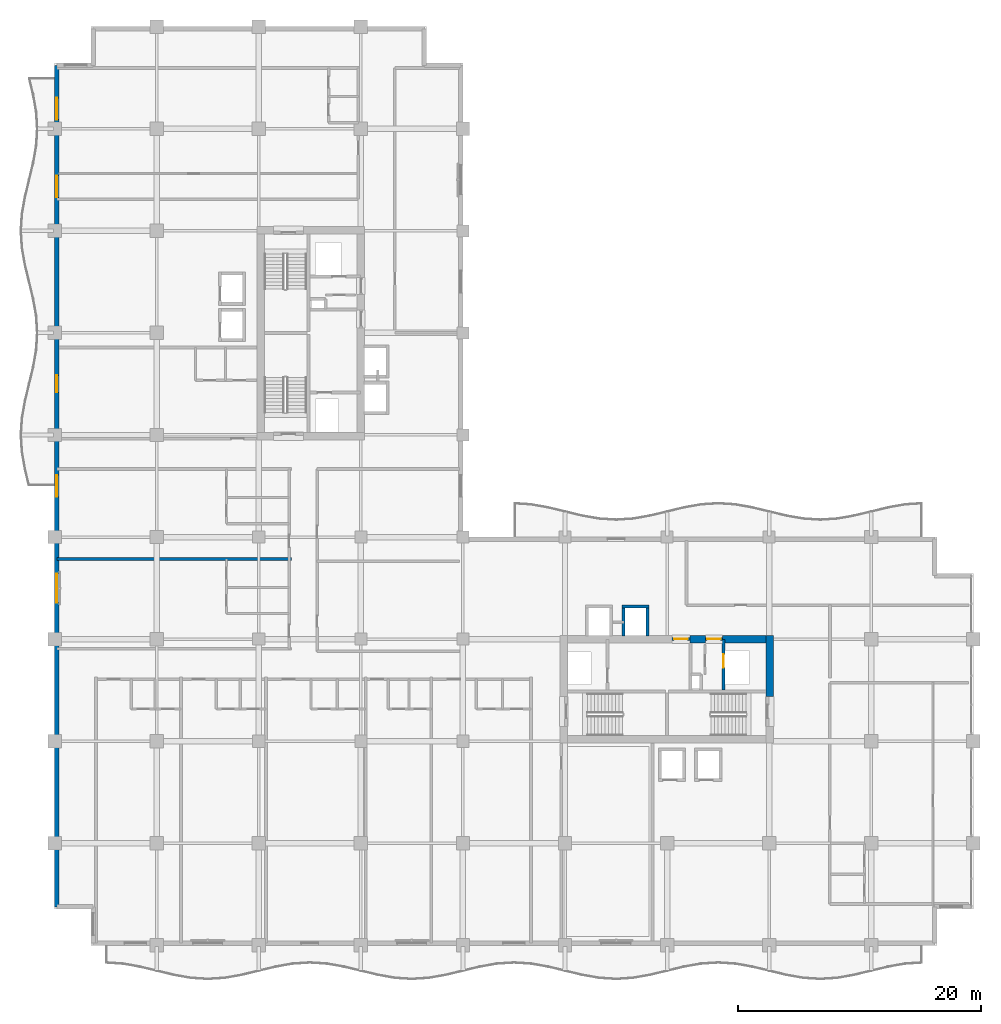
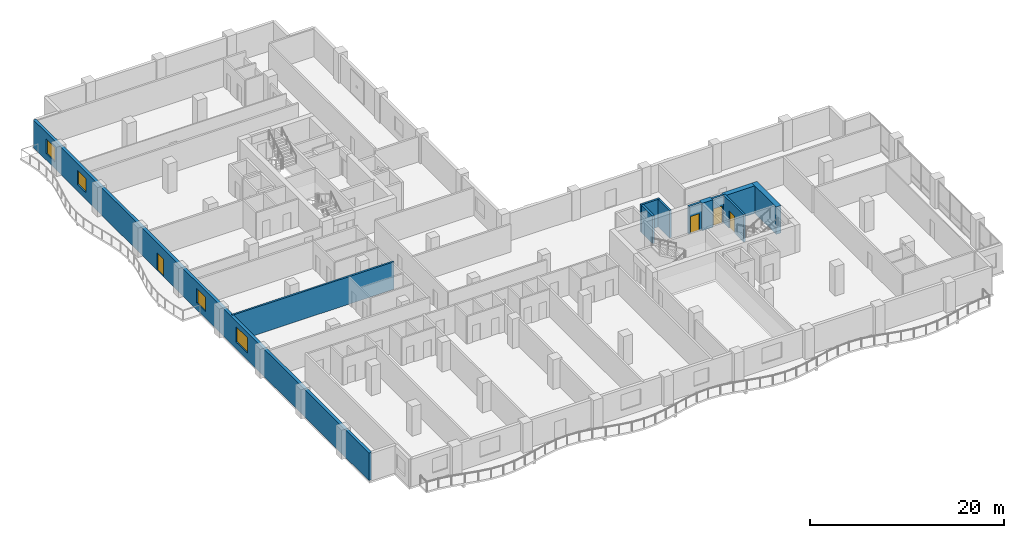
# One storey, part 11 of 21: 11 walls, 4 doors, 4 windows, 8 openings.
"""IFC4 building model written with IfcOpenShell, lengths in metres."""

from ifc_helpers import new_model, si_unit, direction, frame, frame_2d, origin, place, context, subcontext, project, spatial, rectangle, extrude, material, layer, layer_set, type_object, element, fill, save


model = new_model("IFC4")

# Units and contexts
model_context = context("Model", 3, precision=1e-05, world=origin(), true_north=direction((0.0, 1.0)))
body_context = subcontext(model_context, "Body", "Model", "MODEL_VIEW")
ifc_project = project(units=[si_unit("LENGTHUNIT", "METRE"), si_unit("AREAUNIT", "SQUARE_METRE"), si_unit("VOLUMEUNIT", "CUBIC_METRE"), si_unit("PLANEANGLEUNIT", "RADIAN"), si_unit("MASSUNIT", "GRAM", prefix="KILO")], contexts=[model_context])

# Site, building, storey
site_placement = place(None, origin())
site = spatial("IfcSite", under=ifc_project, at=site_placement, CompositionType="ELEMENT")
building_placement = place(site_placement, origin())
building = spatial("IfcBuilding", under=site, at=building_placement, Name="Koriwani Terraces Tower", CompositionType="ELEMENT")
storey_placement = place(building_placement, frame((0.0, 0.0, 197.60009765625)))
storey = spatial("IfcBuildingStorey", under=building, at=storey_placement, Name="L48", CompositionType="ELEMENT", Elevation=197.60009765625)

# Walls
ifc_material_1 = material(Name="Concrete C60/75", Category="concrete")
ifc_layer_1 = layer(ifc_material_1, 0.60009765625, Name="Concrete C60/75")
ifc_layer_set_1 = layer_set([ifc_layer_1], Name="Concrete C60/75")
wall_type_1 = type_object("IfcWallType", Name="WALL_CORE_RC_600", PredefinedType="SHEAR", material=ifc_layer_set_1)
wall_1_placement = place(storey_placement, frame((58.85009765625, 20.5, 0.0), z_axis=(0.0, 0.0, 1.0), x_axis=(0.0, 1.0, 0.0)))
element("IfcWall", 1, at=wall_1_placement, inside=storey, type_object=wall_type_1, Name="L48 East Split Core Shear Wall E2", PredefinedType="SHEAR", context=body_context, shape_type="SweptSolid", body=[
    extrude(rectangle(XDim=5.0, YDim=0.60009765625, at=frame_2d((2.5, 0.0))), origin(), (0.0, 0.0, 1.0), 3.469970703125),
])
wall_2_placement = place(storey_placement, frame((52.280029296875, 25.199951171875, 0.0), z_axis=(0.0, 0.0, 1.0), x_axis=(1.0, 0.0, 0.0)))
element("IfcWall", 2, at=wall_2_placement, inside=storey, type_object=wall_type_1, Name="L48 East Split Core Shear Wall N2", PredefinedType="SHEAR", context=body_context, shape_type="SweptSolid", body=[
    extrude(rectangle(XDim=1.27001953125, YDim=0.60009765625, at=frame_2d((0.635009765625, 0.0))), origin(), (0.0, 0.0, 1.0), 3.469970703125),
])
wall_3_placement = place(storey_placement, frame((54.949951171875, 25.199951171875, 0.0), z_axis=(0.0, 0.0, 1.0), x_axis=(1.0, 0.0, 0.0)))
element("IfcWall", 3, at=wall_3_placement, inside=storey, type_object=wall_type_1, Name="L48 East Split Core Shear Wall N3", PredefinedType="SHEAR", context=body_context, shape_type="SweptSolid", body=[
    extrude(rectangle(XDim=3.60009765625, YDim=0.60009765625, at=frame_2d((1.800048828125, 0.0))), origin(), (0.0, 0.0, 1.0), 3.469970703125),
])
ifc_material_2 = material(Name="Autoclaved Cellular Concrete Blockwork", Category="masonry")
ifc_layer_2 = layer(ifc_material_2, 0.219970703125, Name="Autoclaved Cellular Concrete Blockwork")
ifc_layer_set_2 = layer_set([ifc_layer_2], Name="Autoclaved Cellular Concrete Blockwork")
wall_type_2 = type_object("IfcWallType", Name="WALL_DEMISING_220", PredefinedType="PARTITIONING", material=ifc_layer_set_2)
wall_4_placement = place(storey_placement, frame((0.199951171875, 31.800048828125, 0.0), z_axis=(0.0, 0.0, 1.0), x_axis=(1.0, 0.0, 0.0)))
element("IfcWall", 4, at=wall_4_placement, inside=storey, type_object=wall_type_2, Name="L48 Interior Wall WRDEM-L48-NW-1", PredefinedType="PARTITIONING", context=body_context, shape_type="SweptSolid", body=[
    extrude(rectangle(XDim=19.280029296875, YDim=0.219970703125, at=frame_2d((9.64013671875, 0.0))), origin(), (0.0, 0.0, 1.0), 3.469970703125),
])

# Wall, openings, door, windows
ifc_material_3 = material(Name="Concrete C50/60", Category="concrete")
ifc_layer_3 = layer(ifc_material_3, 0.35009765625, Name="Concrete C50/60")
ifc_layer_set_3 = layer_set([ifc_layer_3], Name="Concrete C50/60")
wall_type_3 = type_object("IfcWallType", Name="WALL_EXT_BRUTALIST_350", PredefinedType="STANDARD", material=ifc_layer_set_3)
wall_5_placement = place(storey_placement, frame((0.175048828125, 3.175048828125, 0.0), z_axis=(0.0, 0.0, 1.0), x_axis=(0.0, 1.0, 0.0)))
wall_5 = element("IfcWall", 5, at=wall_5_placement, inside=storey, type_object=wall_type_3, Name="L48 Fair-Faced Brutalist Exterior Wall (W)", PredefinedType="STANDARD", context=body_context, shape_type="SweptSolid", body=[
    extrude(rectangle(XDim=69.25, YDim=0.35009765625, at=frame_2d((34.625, 0.0))), origin(), (0.0, 0.0, 1.0), 3.469970703125),
])
opening_1_placement = place(wall_5_placement, frame((42.324951171875, 0.0, 0.0)))
opening_1 = element("IfcOpeningElement", 6, at=opening_1_placement, cuts=wall_5, Name="Opening D-09", PredefinedType="OPENING", context=body_context, shape_type="SweptSolid", body=[
    extrude(rectangle(XDim=1.39990234375, YDim=2.199951171875, at=frame_2d((0.699951171875, 1.10009765625))), frame((0.0, 0.18505859375, 0.0), z_axis=(0.0, -1.0, 0.0), x_axis=(1.0, 0.0, 0.0)), (0.0, 0.0, 1.0), 0.3701171875),
])
opening_2_placement = place(wall_5_placement, frame((25.02490234375, 0.0, 0.85009765625)))
opening_2 = element("IfcOpeningElement", 7, at=opening_2_placement, cuts=wall_5, Name="Opening W-03", PredefinedType="OPENING", context=body_context, shape_type="SweptSolid", body=[
    extrude(rectangle(XDim=2.39990234375, YDim=1.949951171875, at=frame_2d((1.199951171875, 0.97509765625))), frame((0.0, 0.18505859375, 0.0), z_axis=(0.0, -1.0, 0.0), x_axis=(1.0, 0.0, 0.0)), (0.0, 0.0, 1.0), 0.3701171875),
])
opening_3_placement = place(wall_5_placement, frame((33.72509765625, 0.0, 0.85009765625)))
opening_3 = element("IfcOpeningElement", 8, at=opening_3_placement, cuts=wall_5, Name="Opening W-04", PredefinedType="OPENING", context=body_context, shape_type="SweptSolid", body=[
    extrude(rectangle(XDim=1.800048828125, YDim=1.800048828125, at=frame_2d((0.89990234375, 0.89990234375))), frame((0.0, 0.18505859375, 0.0), z_axis=(0.0, -1.0, 0.0), x_axis=(1.0, 0.0, 0.0)), (0.0, 0.0, 1.0), 0.3701171875),
])
opening_4_placement = place(wall_5_placement, frame((58.375, 0.0, 0.85009765625)))
opening_4 = element("IfcOpeningElement", 9, at=opening_4_placement, cuts=wall_5, Name="Opening W-04", PredefinedType="OPENING", context=body_context, shape_type="SweptSolid", body=[
    extrude(rectangle(XDim=1.800048828125, YDim=1.800048828125, at=frame_2d((0.89990234375, 0.89990234375))), frame((0.0, 0.18505859375, 0.0), z_axis=(0.0, -1.0, 0.0), x_axis=(1.0, 0.0, 0.0)), (0.0, 0.0, 1.0), 0.3701171875),
])
opening_5_placement = place(wall_5_placement, frame((64.77490234375, 0.0, 0.85009765625)))
opening_5 = element("IfcOpeningElement", 10, at=opening_5_placement, cuts=wall_5, Name="Opening W-04", PredefinedType="OPENING", context=body_context, shape_type="SweptSolid", body=[
    extrude(rectangle(XDim=1.800048828125, YDim=1.800048828125, at=frame_2d((0.89990234375, 0.89990234375))), frame((0.0, 0.18505859375, 0.0), z_axis=(0.0, -1.0, 0.0), x_axis=(1.0, 0.0, 0.0)), (0.0, 0.0, 1.0), 0.3701171875),
])
ifc_material_4 = material(Name="Anodised Bronze Aluminium", Category="aluminium")
door_type_1 = type_object("IfcDoorType", Name="DOOR_BALCONY_GLAZED_1400X2200", OperationType="NOTDEFINED", PredefinedType="DOOR", material=ifc_material_4)
door_1_placement = place(opening_1_placement, origin())
door_1 = element("IfcDoor", 11, at=door_1_placement, inside=storey, type_object=door_type_1, Name="L48 West Balcony Glazed Door", OperationType="SINGLE_SWING_LEFT", OverallHeight=2.199951171875, OverallWidth=1.39990234375, PredefinedType="DOOR", context=body_context, shape_type="SweptSolid", body=[
    extrude(rectangle(XDim=1.39990234375, YDim=2.199951171875, at=frame_2d((0.699951171875, 1.10009765625))), frame((0.0, 0.02490234375, 0.0), z_axis=(0.0, -1.0, 0.0), x_axis=(1.0, 0.0, 0.0)), (0.0, 0.0, 1.0), 0.050048828125),
])
fill(opening_1, door_1)
ifc_material_5 = material(Name="Tempered Laminated Low-E Glass", Category="glass")
window_type_1 = type_object("IfcWindowType", Name="WIN_RES_BED_1800X1800", PartitioningType="DOUBLE_PANEL_VERTICAL", PredefinedType="WINDOW", material=ifc_material_5)
window_1_placement = place(opening_3_placement, origin())
window_1 = element("IfcWindow", 12, at=window_1_placement, inside=storey, type_object=window_type_1, Name="L48 Exterior Window (W-12)", OverallHeight=1.800048828125, OverallWidth=1.800048828125, PartitioningType="SINGLE_PANEL", PredefinedType="WINDOW", context=body_context, shape_type="SweptSolid", body=[
    extrude(rectangle(XDim=1.800048828125, YDim=1.800048828125, at=frame_2d((0.89990234375, 0.89990234375))), frame((0.0, 0.030029296875, 0.0), z_axis=(0.0, -1.0, 0.0), x_axis=(1.0, 0.0, 0.0)), (0.0, 0.0, 1.0), 0.06005859375),
])
fill(opening_3, window_1)
window_2_placement = place(opening_4_placement, origin())
window_2 = element("IfcWindow", 13, at=window_2_placement, inside=storey, type_object=window_type_1, Name="L48 Exterior Window (W-R54)", OverallHeight=1.800048828125, OverallWidth=1.800048828125, PartitioningType="SINGLE_PANEL", PredefinedType="WINDOW", context=body_context, shape_type="SweptSolid", body=[
    extrude(rectangle(XDim=1.800048828125, YDim=1.800048828125, at=frame_2d((0.89990234375, 0.89990234375))), frame((0.0, 0.030029296875, 0.0), z_axis=(0.0, -1.0, 0.0), x_axis=(1.0, 0.0, 0.0)), (0.0, 0.0, 1.0), 0.06005859375),
])
fill(opening_4, window_2)
window_3_placement = place(opening_5_placement, origin())
window_3 = element("IfcWindow", 14, at=window_3_placement, inside=storey, type_object=window_type_1, Name="L48 Exterior Window (W-R55)", OverallHeight=1.800048828125, OverallWidth=1.800048828125, PartitioningType="SINGLE_PANEL", PredefinedType="WINDOW", context=body_context, shape_type="SweptSolid", body=[
    extrude(rectangle(XDim=1.800048828125, YDim=1.800048828125, at=frame_2d((0.89990234375, 0.89990234375))), frame((0.0, 0.030029296875, 0.0), z_axis=(0.0, -1.0, 0.0), x_axis=(1.0, 0.0, 0.0)), (0.0, 0.0, 1.0), 0.06005859375),
])
fill(opening_5, window_3)
window_type_2 = type_object("IfcWindowType", Name="WIN_RES_LIVING_2400X1950", PartitioningType="DOUBLE_PANEL_VERTICAL", PredefinedType="WINDOW", material=ifc_material_5)
window_4_placement = place(opening_2_placement, origin())
window_4 = element("IfcWindow", 15, at=window_4_placement, inside=storey, type_object=window_type_2, Name="L48 Exterior Window (W-9)", OverallHeight=1.949951171875, OverallWidth=2.39990234375, PartitioningType="SINGLE_PANEL", PredefinedType="WINDOW", context=body_context, shape_type="SweptSolid", body=[
    extrude(rectangle(XDim=2.39990234375, YDim=1.949951171875, at=frame_2d((1.199951171875, 0.97509765625))), frame((0.0, 0.030029296875, 0.0), z_axis=(0.0, -1.0, 0.0), x_axis=(1.0, 0.0, 0.0)), (0.0, 0.0, 1.0), 0.06005859375),
])
fill(opening_2, window_4)

# Wall, opening, door
ifc_material_6 = material(Name="Concrete C40/50", Category="concrete")
ifc_layer_4 = layer(ifc_material_6, 0.25, Name="Concrete C40/50")
ifc_layer_set_4 = layer_set([ifc_layer_4], Name="Concrete C40/50")
wall_type_4 = type_object("IfcWallType", Name="WALL_SHAFT_RATED_250", PredefinedType="SOLIDWALL", material=ifc_layer_set_4)
wall_6_placement = place(storey_placement, frame((50.800048828125, 25.199951171875, 0.0), z_axis=(0.0, 0.0, 1.0), x_axis=(1.0, 0.0, 0.0)))
wall_6 = element("IfcWall", 16, at=wall_6_placement, inside=storey, type_object=wall_type_4, Name="L48 Interior Wall WIN-CE-L48-NP", PredefinedType="SOLIDWALL", context=body_context, shape_type="SweptSolid", body=[
    extrude(rectangle(XDim=1.47998046875, YDim=0.25, at=frame_2d((0.739990234375, 0.0))), origin(), (0.0, 0.0, 1.0), 3.469970703125),
])
opening_6_placement = place(wall_6_placement, frame((0.179931640625, 0.0, 0.0)))
opening_6 = element("IfcOpeningElement", 17, at=opening_6_placement, cuts=wall_6, Name="Opening D-03", PredefinedType="OPENING", context=body_context, shape_type="SweptSolid", body=[
    extrude(rectangle(XDim=1.10009765625, YDim=2.14990234375, at=frame_2d((0.550048828125, 1.074951171875))), frame((0.0, 0.135009765625, 0.0), z_axis=(0.0, -1.0, 0.0), x_axis=(1.0, 0.0, 0.0)), (0.0, 0.0, 1.0), 0.27001953125),
])
ifc_material_7 = material(Name="Steel ASTM A572 Grade 50", Category="steel")
door_type_2 = type_object("IfcDoorType", Name="DOOR_STAIR_FIRE_1100X2150", OperationType="NOTDEFINED", PredefinedType="DOOR", material=ifc_material_7)
door_2_placement = place(opening_6_placement, origin())
door_2 = element("IfcDoor", 18, at=door_2_placement, inside=storey, type_object=door_type_2, Name="L48 East Firefighting Lobby Door", OperationType="SINGLE_SWING_LEFT", OverallHeight=2.14990234375, OverallWidth=1.10009765625, PredefinedType="DOOR", context=body_context, shape_type="SweptSolid", body=[
    extrude(rectangle(XDim=1.10009765625, YDim=2.14990234375, at=frame_2d((0.550048828125, 1.074951171875))), frame((0.0, 0.02490234375, 0.0), z_axis=(0.0, -1.0, 0.0), x_axis=(1.0, 0.0, 0.0)), (0.0, 0.0, 1.0), 0.050048828125),
])
fill(opening_6, door_2)

wall_7_placement = place(storey_placement, frame((55.050048828125, 21.0, 0.0), z_axis=(0.0, 0.0, 1.0), x_axis=(0.0, 1.0, 0.0)))
wall_7 = element("IfcWall", 19, at=wall_7_placement, inside=storey, type_object=wall_type_4, Name="L48 Interior Wall WIN-CE-L48-SE", PredefinedType="SOLIDWALL", context=body_context, shape_type="SweptSolid", body=[
    extrude(rectangle(XDim=4.14990234375, YDim=0.25, at=frame_2d((2.074951171875, 0.0))), origin(), (0.0, 0.0, 1.0), 3.469970703125),
])
opening_7_placement = place(wall_7_placement, frame((1.85009765625, 0.0, 0.0)))
opening_7 = element("IfcOpeningElement", 20, at=opening_7_placement, cuts=wall_7, Name="Opening LD-01", PredefinedType="OPENING", context=body_context, shape_type="SweptSolid", body=[
    extrude(rectangle(XDim=1.10009765625, YDim=2.14990234375, at=frame_2d((0.550048828125, 1.074951171875))), frame((0.0, 0.135009765625, 0.0), z_axis=(0.0, -1.0, 0.0), x_axis=(1.0, 0.0, 0.0)), (0.0, 0.0, 1.0), 0.27001953125),
])
door_type_3 = type_object("IfcDoorType", Name="DOOR_LIFT_LANDING_1100X2200", OperationType="NOTDEFINED", PredefinedType="DOOR", material=ifc_material_7)
door_3_placement = place(opening_7_placement, origin())
door_3 = element("IfcDoor", 21, at=door_3_placement, inside=storey, type_object=door_type_3, Name="L48 Goods Lift SE-02 Landing Door", OperationType="SLIDING_TO_LEFT", OverallHeight=2.14990234375, OverallWidth=1.10009765625, PredefinedType="DOOR", context=body_context, shape_type="SweptSolid", body=[
    extrude(rectangle(XDim=1.10009765625, YDim=2.14990234375, at=frame_2d((0.550048828125, 1.074951171875))), frame((0.0, 0.02490234375, 0.0), z_axis=(0.0, -1.0, 0.0), x_axis=(1.0, 0.0, 0.0)), (0.0, 0.0, 1.0), 0.050048828125),
])
fill(opening_7, door_3)

wall_8_placement = place(storey_placement, frame((53.550048828125, 25.199951171875, 0.0), z_axis=(0.0, 0.0, 1.0), x_axis=(1.0, 0.0, 0.0)))
wall_8 = element("IfcWall", 22, at=wall_8_placement, inside=storey, type_object=wall_type_4, Name="L48 Interior Wall WIN-CE-L48-NP2", PredefinedType="SOLIDWALL", context=body_context, shape_type="SweptSolid", body=[
    extrude(rectangle(XDim=1.39990234375, YDim=0.25, at=frame_2d((0.699951171875, 0.0))), origin(), (0.0, 0.0, 1.0), 3.469970703125),
])
opening_8_placement = place(wall_8_placement, frame((0.14990234375, 0.0, 0.0)))
opening_8 = element("IfcOpeningElement", 23, at=opening_8_placement, cuts=wall_8, Name="Opening D-03", PredefinedType="OPENING", context=body_context, shape_type="SweptSolid", body=[
    extrude(rectangle(XDim=1.10009765625, YDim=2.14990234375, at=frame_2d((0.550048828125, 1.074951171875))), frame((0.0, 0.135009765625, 0.0), z_axis=(0.0, -1.0, 0.0), x_axis=(1.0, 0.0, 0.0)), (0.0, 0.0, 1.0), 0.27001953125),
])
door_4_placement = place(opening_8_placement, origin())
door_4 = element("IfcDoor", 24, at=door_4_placement, inside=storey, type_object=door_type_2, Name="L48 East Goods Lift Lobby Door", OperationType="SINGLE_SWING_RIGHT", OverallHeight=2.14990234375, OverallWidth=1.10009765625, PredefinedType="DOOR", context=body_context, shape_type="SweptSolid", body=[
    extrude(rectangle(XDim=1.10009765625, YDim=2.14990234375, at=frame_2d((0.550048828125, 1.074951171875))), frame((0.0, 0.02490234375, 0.0), z_axis=(0.0, -1.0, 0.0), x_axis=(1.0, 0.0, 0.0)), (0.0, 0.0, 1.0), 0.050048828125),
])
fill(opening_8, door_4)

# Walls
wall_9_placement = place(storey_placement, frame((46.675048828125, 27.89990234375, 0.0), z_axis=(0.0, 0.0, 1.0), x_axis=(1.0, 0.0, 0.0)))
element("IfcWall", 25, at=wall_9_placement, inside=storey, type_object=wall_type_4, Name="L48 Interior Wall WIN-LF-PE-H4-L48-F", PredefinedType="SOLIDWALL", context=body_context, shape_type="SweptSolid", body=[
    extrude(rectangle(XDim=2.25, YDim=0.25, at=frame_2d((1.125, 0.0))), origin(), (0.0, 0.0, 1.0), 3.469970703125),
])
for number, where, z_axis, x_axis, name in (
    (26, (46.800048828125, 25.449951171875, 0.0), (0.0, 0.0, 1.0), (0.0, 1.0, 0.0), "L48 Interior Wall WIN-LF-PE-H4-L48-W"),
    (27, (48.800048828125, 25.449951171875, 0.0), (0.0, 0.0, 1.0), (0.0, 1.0, 0.0), "L48 Interior Wall WIN-LF-PE-H4-L48-E"),
):
    element("IfcWall", number, at=place(storey_placement, frame(where, z_axis=z_axis, x_axis=x_axis)), inside=storey, type_object=wall_type_4, Name=name, PredefinedType="SOLIDWALL", context=body_context, shape_type="SweptSolid", body=[
        extrude(rectangle(XDim=2.324951171875, YDim=0.25, at=frame_2d((1.16259765625, 0.0))), origin(), (0.0, 0.0, 1.0), 3.469970703125),
    ])

save(model, "model.ifc")
